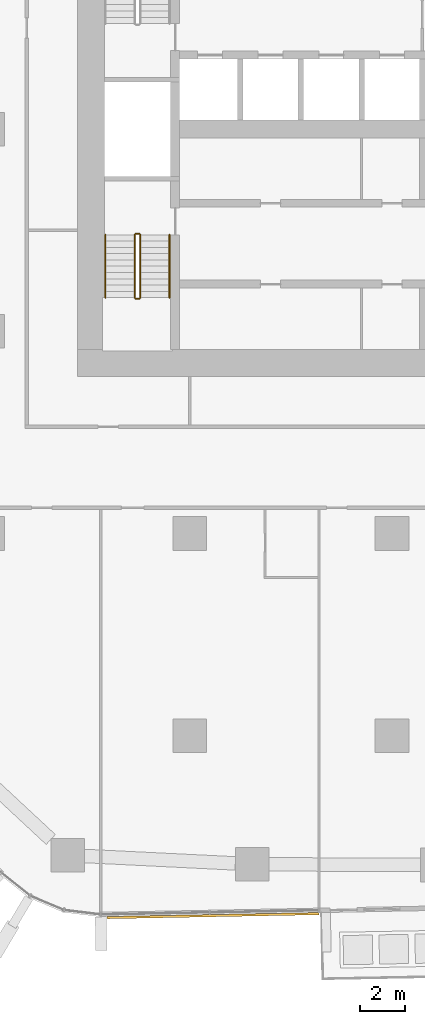
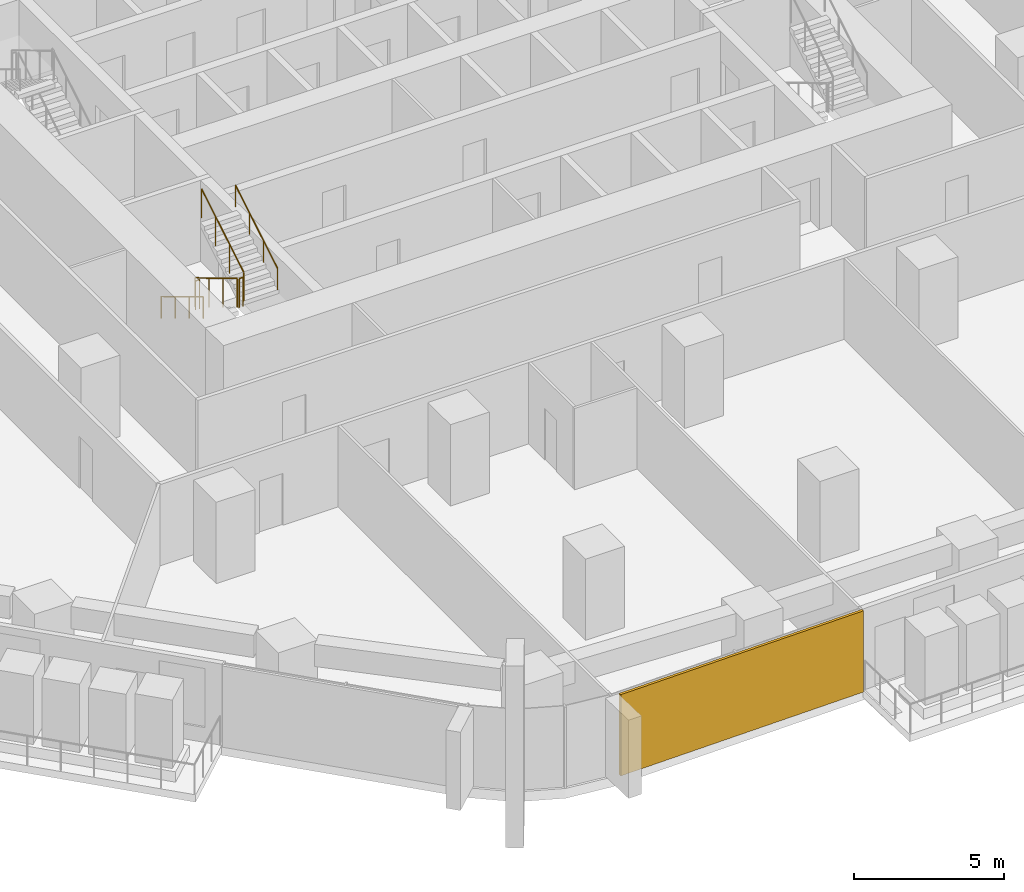
# One storey, part 20 of 25: 6 railings, 1 covering, 1 element without a shape of its own.
"""IFC4 building model written with IfcOpenShell, lengths in metres."""

from ifc_helpers import new_model, si_unit, direction, frame, origin, origin_2d, place, context, subcontext, project, spatial, rectangle, circle, extrude, material, layer, layer_set, type_object, element, aggregate, save


model = new_model("IFC4")

# Units and contexts
model_context = context("Model", 3, precision=1e-05, world=origin(), true_north=direction((0.0, 1.0)))
body_context = subcontext(model_context, "Body", "Model", "MODEL_VIEW")
ifc_project = project(units=[si_unit("LENGTHUNIT", "METRE"), si_unit("AREAUNIT", "SQUARE_METRE"), si_unit("VOLUMEUNIT", "CUBIC_METRE"), si_unit("PLANEANGLEUNIT", "RADIAN"), si_unit("MASSUNIT", "GRAM", prefix="KILO")], contexts=[model_context])

# Site, building, storey
site_placement = place(None, origin())
site = spatial("IfcSite", under=ifc_project, at=site_placement, CompositionType="ELEMENT")
building_placement = place(site_placement, origin())
building = spatial("IfcBuilding", under=site, at=building_placement, Name="Dongbaek Canopy Tower", CompositionType="ELEMENT")
storey_placement = place(building_placement, frame((0.0, 0.0, 77.300048828125)))
storey = spatial("IfcBuildingStorey", under=building, at=storey_placement, Name="L15", CompositionType="ELEMENT", Elevation=77.300048828125)

# Curtain wall, covering
ifc_material_1 = material(Name="Aluminium 6063-T6 pale anodised", Category="aluminium")
ifc_layer_1 = layer(ifc_material_1, 0.199951171875)
ifc_layer_set_1 = layer_set([ifc_layer_1], Name="CW-1 unitised tower curtain wall")
curtain_wall_type = type_object("IfcCurtainWallType", Name="CW-1 unitised tower curtain wall", PredefinedType="NOTDEFINED", material=ifc_layer_set_1)
curtain_wall_placement = place(storey_placement, origin())
curtain_wall = element("IfcCurtainWall", 1, at=curtain_wall_placement, inside=storey, type_object=curtain_wall_type, Name="CW-1 curtain wall F4.1", PredefinedType="NOTDEFINED")
ifc_material_2 = material(Name="Perforated aluminium 6063-T6 pale metal screen", Category="aluminium")
ifc_layer_2 = layer(ifc_material_2, 0.10009765625)
ifc_layer_set_2 = layer_set([ifc_layer_2], Name="Facet screen FS1 100 pale metal")
covering_type = type_object("IfcCoveringType", Name="Facet screen FS1 100 pale metal", PredefinedType="CLADDING", material=ifc_layer_set_2)
covering_placement = place(storey_placement, frame((-7.95654296875, -35.0068359375, 0.0), z_axis=(0.0, 0.0, 1.0), x_axis=(0.999820406173, 0.018951395748, 0.0)))
covering = element("IfcCovering", 2, at=covering_placement, type_object=covering_type, Name="Facet screen L15 F4", PredefinedType="CLADDING", context=body_context, shape_type="SweptSolid", body=[
    extrude(rectangle(XDim=9.43017578125, YDim=0.10009765625, at=origin_2d()), origin(), (0.0, 0.0, 1.0), 3.300048828125),
])
aggregate(curtain_wall, [covering])

# Railings
ifc_material_3 = material(Name="Stainless steel tube and balusters", Category="steel")
railing_type_1 = type_object("IfcRailingType", Name="Stair guard 1200", PredefinedType="GUARDRAIL", material=ifc_material_3)
railing_1_placement = place(storey_placement, frame((-11.449951171875, -4.699951171875, 0.168212890625)))
element("IfcRailing", 3, at=railing_1_placement, inside=storey, type_object=railing_type_1, Name="L15 ST-D stair guard 1", PredefinedType="GUARDRAIL", context=body_context, shape_type="SweptSolid", body=[
    extrude(circle(Radius=0.02392578125, at=origin_2d()), frame((0.0, 0.0, 1.17578125), z_axis=(0.0, -0.857275202839, 0.514858452973), x_axis=(1.0, 0.0, 0.0)), (0.0, 0.0, 1.0), 3.26611328125),
    extrude(circle(Radius=0.02099609375, at=origin_2d()), origin(), (0.0, 0.0, 1.0), 1.15185546875),
    extrude(circle(Radius=0.02099609375, at=origin_2d()), frame((0.0, -0.933349609375, 0.560546875)), (0.0, 0.0, 1.0), 1.15185546875),
    extrude(circle(Radius=0.02099609375, at=origin_2d()), frame((0.0, -1.86669921875, 1.12109375)), (0.0, 0.0, 1.0), 1.15185546875),
    extrude(circle(Radius=0.02099609375, at=origin_2d()), frame((0.0, -2.800048828125, 1.681640625)), (0.0, 0.0, 1.0), 1.15185546875),
])
railing_2_placement = place(storey_placement, frame((-11.39990234375, -7.550048828125, 1.849853515625)))
element("IfcRailing", 4, at=railing_2_placement, inside=storey, type_object=railing_type_1, Name="L15 ST-D stair guard 2", PredefinedType="GUARDRAIL", context=body_context, shape_type="SweptSolid", body=[
    extrude(circle(Radius=0.02392578125, at=origin_2d()), frame((0.0, 0.0, 1.17578125), z_axis=(1.0, 0.0, 0.0), x_axis=(0.0, 1.0, 0.0)), (0.0, 0.0, 1.0), 0.14990234375),
    extrude(circle(Radius=0.02099609375, at=origin_2d()), origin(), (0.0, 0.0, 1.0), 1.15185546875),
    extrude(circle(Radius=0.02099609375, at=origin_2d()), frame((0.14990234375, 0.0, 0.0)), (0.0, 0.0, 1.0), 1.15185546875),
])
railing_3_placement = place(storey_placement, frame((-11.199951171875, -7.5, 2.01806640625)))
element("IfcRailing", 5, at=railing_3_placement, inside=storey, type_object=railing_type_1, Name="L15 ST-D stair guard 3", PredefinedType="GUARDRAIL", context=body_context, shape_type="SweptSolid", body=[
    extrude(circle(Radius=0.02392578125, at=origin_2d()), frame((0.0, 0.0, 1.17578125), z_axis=(0.0, 0.857242210791, 0.514913383045), x_axis=(-1.0, 0.0, 0.0)), (0.0, 0.0, 1.0), 3.266357421875),
    extrude(circle(Radius=0.02099609375, at=origin_2d()), origin(), (0.0, 0.0, 1.0), 1.15185546875),
    extrude(circle(Radius=0.02099609375, at=origin_2d()), frame((0.0, 0.933349609375, 0.560546875)), (0.0, 0.0, 1.0), 1.15185546875),
    extrude(circle(Radius=0.02099609375, at=origin_2d()), frame((0.0, 1.86669921875, 1.121337890625)), (0.0, 0.0, 1.0), 1.15185546875),
    extrude(circle(Radius=0.02099609375, at=origin_2d()), frame((0.0, 2.800048828125, 1.681884765625)), (0.0, 0.0, 1.0), 1.15185546875),
])
railing_4_placement = place(storey_placement, frame((-11.39990234375, -4.64990234375, 0.0)))
element("IfcRailing", 6, at=railing_4_placement, inside=storey, type_object=railing_type_1, Name="L15 ST-D stair guard 4", PredefinedType="GUARDRAIL", context=body_context, shape_type="SweptSolid", body=[
    extrude(circle(Radius=0.02392578125, at=origin_2d()), frame((0.0, 0.0, 1.17578125), z_axis=(1.0, 0.0, 0.0), x_axis=(0.0, 1.0, 0.0)), (0.0, 0.0, 1.0), 0.14990234375),
    extrude(circle(Radius=0.02099609375, at=origin_2d()), origin(), (0.0, 0.0, 1.0), 1.15185546875),
    extrude(circle(Radius=0.02099609375, at=origin_2d()), frame((0.14990234375, 0.0, 0.0)), (0.0, 0.0, 1.0), 1.15185546875),
])
ifc_material_4 = material(Name="Stainless steel tube", Category="steel")
railing_type_2 = type_object("IfcRailingType", Name="Stair handrail 900", PredefinedType="HANDRAIL", material=ifc_material_4)
railing_5_placement = place(storey_placement, frame((-12.75, -4.699951171875, 0.168212890625)))
element("IfcRailing", 7, at=railing_5_placement, inside=storey, type_object=railing_type_2, Name="L15 ST-D stair handrail 1", PredefinedType="HANDRAIL", context=body_context, shape_type="SweptSolid", body=[
    extrude(circle(Radius=0.02392578125, at=origin_2d()), frame((0.0, 0.0, 0.8759765625), z_axis=(0.0, -0.857275202839, 0.514858452973), x_axis=(1.0, 0.0, 0.0)), (0.0, 0.0, 1.0), 3.26611328125),
    extrude(circle(Radius=0.02099609375, at=origin_2d()), origin(), (0.0, 0.0, 1.0), 0.851806640625),
    extrude(circle(Radius=0.02099609375, at=origin_2d()), frame((0.0, -0.933349609375, 0.560546875)), (0.0, 0.0, 1.0), 0.851806640625),
    extrude(circle(Radius=0.02099609375, at=origin_2d()), frame((0.0, -1.86669921875, 1.12109375)), (0.0, 0.0, 1.0), 0.851806640625),
    extrude(circle(Radius=0.02099609375, at=origin_2d()), frame((0.0, -2.800048828125, 1.681640625)), (0.0, 0.0, 1.0), 0.851806640625),
])
railing_6_placement = place(storey_placement, frame((-9.89990234375, -7.5, 2.01806640625)))
element("IfcRailing", 8, at=railing_6_placement, inside=storey, type_object=railing_type_2, Name="L15 ST-D stair handrail 2", PredefinedType="HANDRAIL", context=body_context, shape_type="SweptSolid", body=[
    extrude(circle(Radius=0.02392578125, at=origin_2d()), frame((0.0, 0.0, 0.8759765625), z_axis=(0.0, 0.857242210791, 0.514913383045), x_axis=(-1.0, 0.0, 0.0)), (0.0, 0.0, 1.0), 3.266357421875),
    extrude(circle(Radius=0.02099609375, at=origin_2d()), origin(), (0.0, 0.0, 1.0), 0.851806640625),
    extrude(circle(Radius=0.02099609375, at=origin_2d()), frame((0.0, 0.933349609375, 0.560546875)), (0.0, 0.0, 1.0), 0.851806640625),
    extrude(circle(Radius=0.02099609375, at=origin_2d()), frame((0.0, 1.86669921875, 1.121337890625)), (0.0, 0.0, 1.0), 0.851806640625),
    extrude(circle(Radius=0.02099609375, at=origin_2d()), frame((0.0, 2.800048828125, 1.681884765625)), (0.0, 0.0, 1.0), 0.851806640625),
])

save(model, "model.ifc")
